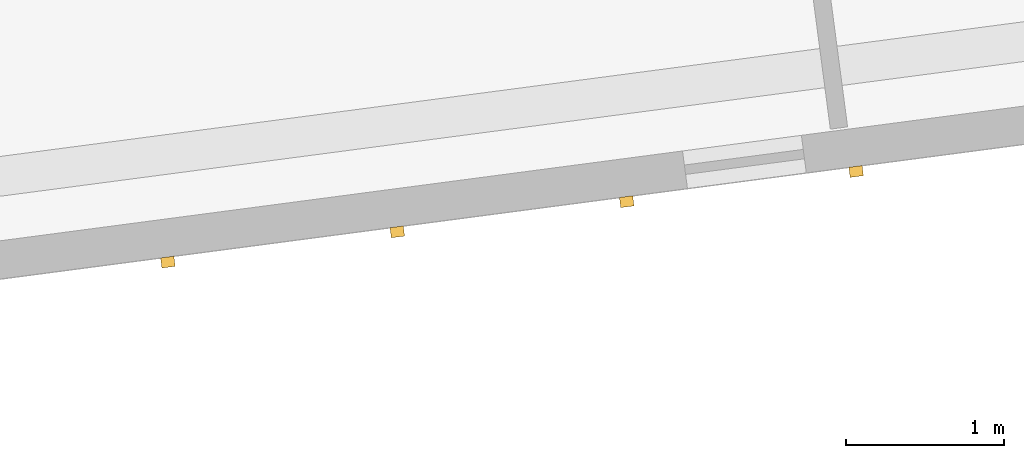
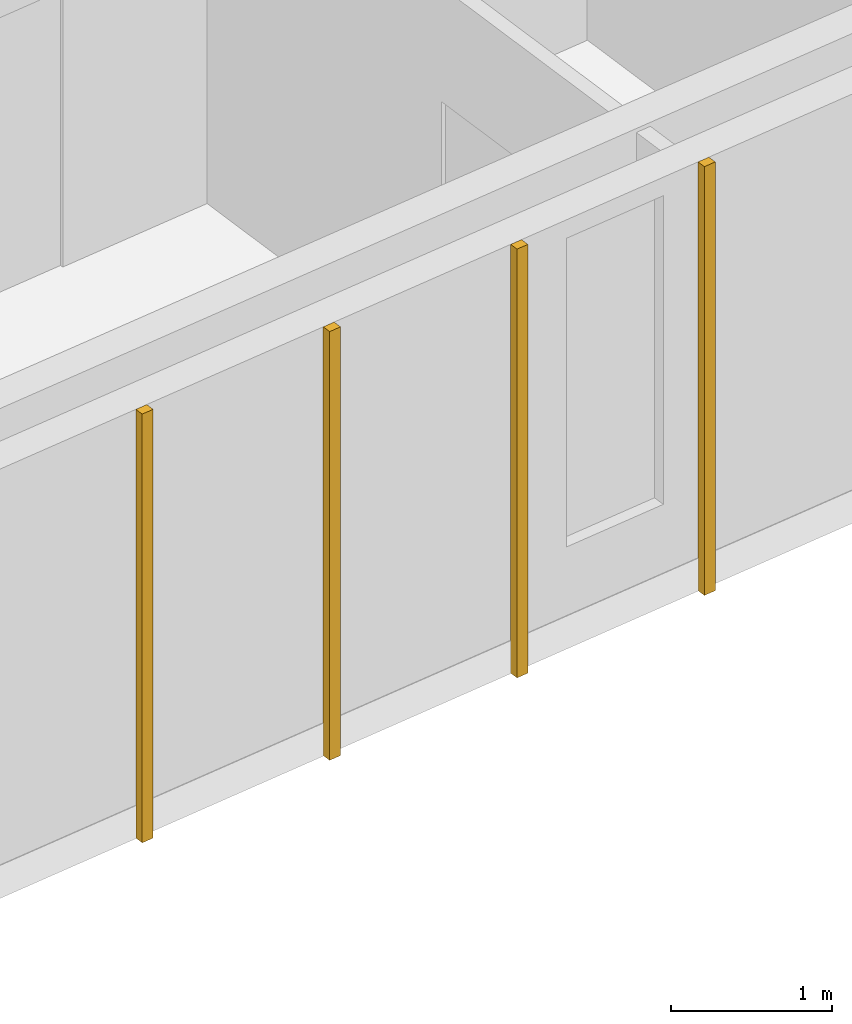
# One storey, part 40 of 74: 4 coverings.
"""IFC4 building model written with IfcOpenShell, lengths in metres."""

from ifc_helpers import new_model, si_unit, direction, frame, origin, origin_2d, place, context, subcontext, project, spatial, rectangle, extrude, material, layer, layer_set, type_object, element, save


model = new_model("IFC4")

# Units and contexts
model_context = context("Model", 3, precision=1e-05, world=origin(), true_north=direction((0.0, 1.0)))
body_context = subcontext(model_context, "Body", "Model", "MODEL_VIEW")
ifc_project = project(units=[si_unit("LENGTHUNIT", "METRE"), si_unit("AREAUNIT", "SQUARE_METRE"), si_unit("VOLUMEUNIT", "CUBIC_METRE"), si_unit("PLANEANGLEUNIT", "RADIAN"), si_unit("MASSUNIT", "GRAM", prefix="KILO")], contexts=[model_context])

# Site, building, storey
site_placement = place(None, origin())
site = spatial("IfcSite", under=ifc_project, at=site_placement, CompositionType="ELEMENT")
building_placement = place(site_placement, origin())
building = spatial("IfcBuilding", under=site, at=building_placement, Name="Kestramere Prow Commons", CompositionType="ELEMENT")
storey_placement = place(building_placement, frame((0.0, 0.0, 11.64990234375)))
storey = spatial("IfcBuildingStorey", under=building, at=storey_placement, Name="L03", CompositionType="ELEMENT", Elevation=11.64990234375)

# Coverings
ifc_material = material(Name="Weathered Zinc-Titanium Standing-Seam Cladding")
ifc_layer = layer(ifc_material, 0.074951171875)
ifc_layer_set = layer_set([ifc_layer], Name="Weathered Zinc-Titanium Standing-Seam Cladding")
covering_type = type_object("IfcCoveringType", Name="COV-CLAD-SEAM", PredefinedType="CLADDING", material=ifc_layer_set)
for number, where, z_axis, x_axis, name in (
    (1, (34.554443359375, 74.391357421875, -0.25), (0.0, 0.0, 1.0), (-0.991444861374, -0.13052619222, 0.0), "EW-A-L03-S-2 Standing-Seam Rib 2"),
    (2, (33.100341796875, 74.199951171875, -0.25), (0.0, 0.0, 1.0), (-0.991444861374, -0.13052619222, 0.0), "EW-A-L03-S-2 Standing-Seam Rib 3"),
    (3, (31.64599609375, 74.008544921875, -0.25), (0.0, 0.0, 1.0), (-0.991444861374, -0.13052619222, 0.0), "EW-A-L03-S-2 Standing-Seam Rib 4"),
    (4, (30.19189453125, 73.81689453125, -0.25), (0.0, 0.0, 1.0), (-0.991444861374, -0.13052619222, 0.0), "EW-A-L03-S-2 Standing-Seam Rib 5"),
):
    element("IfcCovering", number, at=place(storey_placement, frame(where, z_axis=z_axis, x_axis=x_axis)), inside=storey, type_object=covering_type, Name=name, PredefinedType="CLADDING", context=body_context, shape_type="SweptSolid", body=[
        extrude(rectangle(XDim=0.0849609375, YDim=0.06494140625, at=origin_2d()), origin(), (0.0, 0.0, 1.0), 3.25),
    ])

save(model, "model.ifc")
